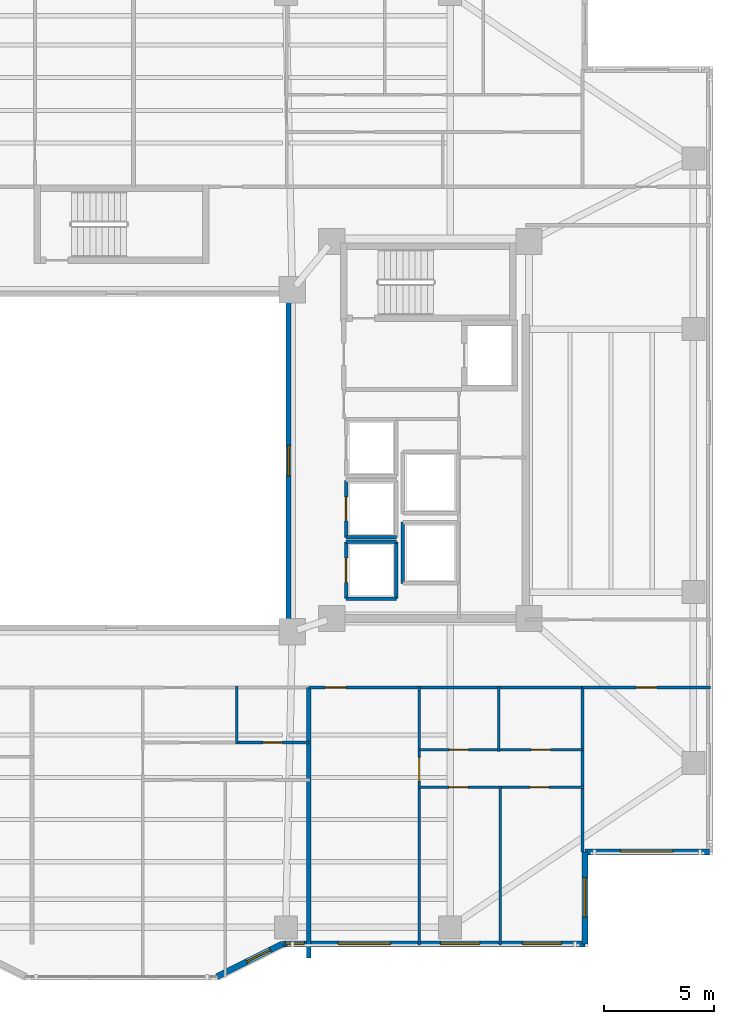
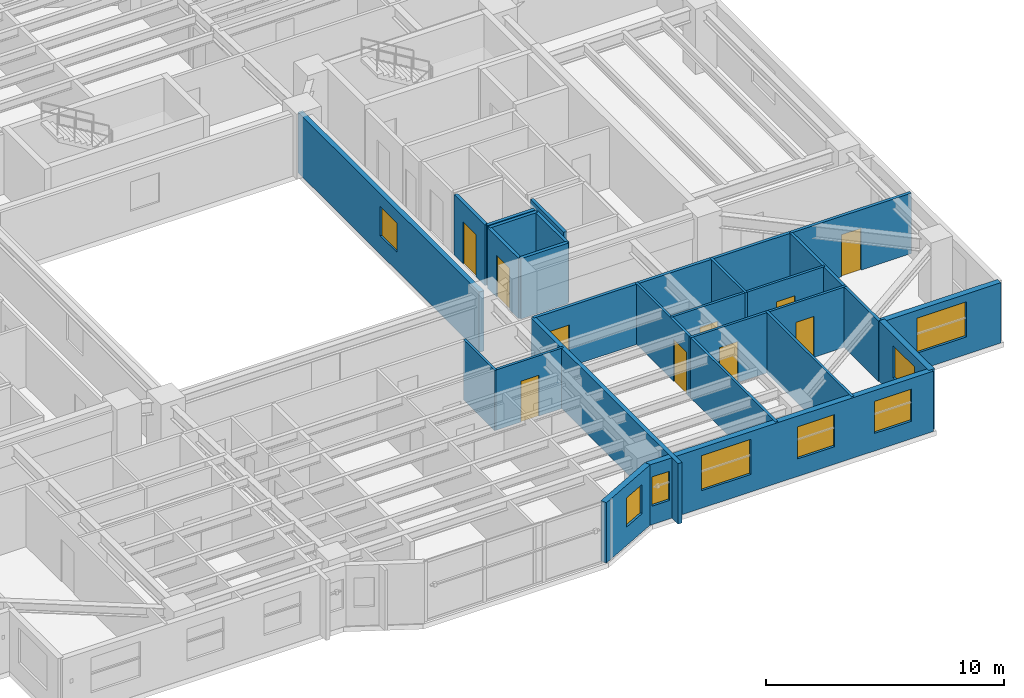
# One storey, part 8 of 18: 24 walls, 10 doors, 8 windows, 18 openings.
"""IFC4 building model written with IfcOpenShell, lengths in metres."""

from ifc_helpers import new_model, si_unit, direction, frame, frame_2d, origin, place, context, subcontext, project, spatial, rectangle, extrude, material, layer, layer_set, type_object, element, fill, save


model = new_model("IFC4")

# Units and contexts
model_context = context("Model", 3, precision=1e-05, world=origin(), true_north=direction((0.0, 1.0)))
body_context = subcontext(model_context, "Body", "Model", "MODEL_VIEW")
ifc_project = project(units=[si_unit("LENGTHUNIT", "METRE"), si_unit("AREAUNIT", "SQUARE_METRE"), si_unit("VOLUMEUNIT", "CUBIC_METRE"), si_unit("PLANEANGLEUNIT", "RADIAN"), si_unit("MASSUNIT", "GRAM", prefix="KILO")], contexts=[model_context])

# Site, building, storey
site_placement = place(None, origin())
site = spatial("IfcSite", under=ifc_project, at=site_placement, CompositionType="ELEMENT")
building_placement = place(site_placement, origin())
building = spatial("IfcBuilding", under=site, at=building_placement, Name="Tarnavaz Court Tower", CompositionType="ELEMENT")
storey_placement = place(building_placement, frame((0.0, 0.0, 88.35009765625)))
storey = spatial("IfcBuildingStorey", under=building, at=storey_placement, Name="L23", CompositionType="ELEMENT", Elevation=88.35009765625)

# Wall, opening, window
ifc_material_1 = material(Name="Precast Concrete C40/50", Category="concrete")
ifc_layer_1 = layer(ifc_material_1, 0.280029296875)
ifc_layer_set_1 = layer_set([ifc_layer_1], Name="Precast Concrete C40/50")
wall_type_1 = type_object("IfcWallType", Name="WL-EXT-280", PredefinedType="SOLIDWALL", material=ifc_layer_set_1)
wall_1_placement = place(storey_placement, frame((26.85009765625, -17.85009765625, 0.0), z_axis=(0.0, 0.0, 1.0), x_axis=(-1.0, 0.0, 0.0)))
wall_1 = element("IfcWall", 1, at=wall_1_placement, inside=storey, type_object=wall_type_1, Name="L23 Exterior Terracotta Facade Wall 13", PredefinedType="SOLIDWALL", context=body_context, shape_type="SweptSolid", body=[
    extrude(rectangle(XDim=5.7001953125, YDim=0.280029296875, at=frame_2d((2.85009765625, 0.0))), origin(), (0.0, 0.0, 1.0), 3.099853515625),
])
opening_1_placement = place(wall_1_placement, frame((1.675048828125, 0.0, 0.89990234375)))
opening_1 = element("IfcOpeningElement", 2, at=opening_1_placement, cuts=wall_1, Name="Opening W06", PredefinedType="OPENING", context=body_context, shape_type="SweptSolid", body=[
    extrude(rectangle(XDim=2.39990234375, YDim=1.800048828125, at=frame_2d((1.199951171875, 0.89990234375))), frame((0.0, 0.14990234375, 0.0), z_axis=(0.0, -1.0, 0.0), x_axis=(1.0, 0.0, 0.0)), (0.0, 0.0, 1.0), 0.300048828125),
])
ifc_material_2 = material(Name="Double-Glazed Solar Low-E Glass", Category="glass")
window_type_1 = type_object("IfcWindowType", Name="WN-APT-2400", PartitioningType="TRIPLE_PANEL_VERTICAL", PredefinedType="WINDOW", material=ifc_material_2)
window_1_placement = place(opening_1_placement, origin())
window_1 = element("IfcWindow", 3, at=window_1_placement, inside=storey, type_object=window_type_1, Name="L23 South-East Corner Reading Room Window", OverallHeight=1.800048828125, OverallWidth=2.39990234375, PartitioningType="SINGLE_PANEL", PredefinedType="WINDOW", context=body_context, shape_type="SweptSolid", body=[
    extrude(rectangle(XDim=2.39990234375, YDim=1.800048828125, at=frame_2d((1.199951171875, 0.89990234375))), frame((0.0, 0.030029296875, 0.0), z_axis=(0.0, -1.0, 0.0), x_axis=(1.0, 0.0, 0.0)), (0.0, 0.0, 1.0), 0.06005859375),
])
fill(opening_1, window_1)

wall_2_placement = place(storey_placement, frame((21.14990234375, -17.85009765625, 0.0), z_axis=(0.0, 0.0, 1.0), x_axis=(0.0, -1.0, 0.0)))
wall_2 = element("IfcWall", 4, at=wall_2_placement, inside=storey, type_object=wall_type_1, Name="L23 Exterior Terracotta Facade Wall 14", PredefinedType="SOLIDWALL", context=body_context, shape_type="SweptSolid", body=[
    extrude(rectangle(XDim=4.199951171875, YDim=0.280029296875, at=frame_2d((2.10009765625, 0.0))), origin(), (0.0, 0.0, 1.0), 3.099853515625),
])
opening_2_placement = place(wall_2_placement, frame((1.18212890625, 0.0, 0.89990234375)))
opening_2 = element("IfcOpeningElement", 5, at=opening_2_placement, cuts=wall_2, Name="Opening W01", PredefinedType="OPENING", context=body_context, shape_type="SweptSolid", body=[
    extrude(rectangle(XDim=1.800048828125, YDim=1.64990234375, at=frame_2d((0.89990234375, 0.824951171875))), frame((0.0, 0.14990234375, 0.0), z_axis=(0.0, -1.0, 0.0), x_axis=(1.0, 0.0, 0.0)), (0.0, 0.0, 1.0), 0.300048828125),
])
window_type_2 = type_object("IfcWindowType", Name="WN-APT-1800", PartitioningType="DOUBLE_PANEL_VERTICAL", PredefinedType="WINDOW", material=ifc_material_2)
window_2_placement = place(opening_2_placement, origin())
window_2 = element("IfcWindow", 6, at=window_2_placement, inside=storey, type_object=window_type_2, Name="L23 Flat 03 Bedroom 2 Window", OverallHeight=1.64990234375, OverallWidth=1.800048828125, PartitioningType="SINGLE_PANEL", PredefinedType="WINDOW", context=body_context, shape_type="SweptSolid", body=[
    extrude(rectangle(XDim=1.800048828125, YDim=1.64990234375, at=frame_2d((0.89990234375, 0.824951171875))), frame((0.0, 0.030029296875, 0.0), z_axis=(0.0, -1.0, 0.0), x_axis=(1.0, 0.0, 0.0)), (0.0, 0.0, 1.0), 0.06005859375),
])
fill(opening_2, window_2)

# Wall, openings, windows
wall_3_placement = place(storey_placement, frame((21.14990234375, -22.050048828125, 0.0), z_axis=(0.0, 0.0, 1.0), x_axis=(-1.0, 0.0, 0.0)))
wall_3 = element("IfcWall", 7, at=wall_3_placement, inside=storey, type_object=wall_type_1, Name="L23 Exterior Terracotta Facade Wall 15", PredefinedType="SOLIDWALL", context=body_context, shape_type="SweptSolid", body=[
    extrude(rectangle(XDim=13.7998046875, YDim=0.280029296875, at=frame_2d((6.89990234375, 0.0))), origin(), (0.0, 0.0, 1.0), 3.099853515625),
])
opening_3_placement = place(wall_3_placement, frame((1.05712890625, 0.0, 0.89990234375)))
opening_3 = element("IfcOpeningElement", 8, at=opening_3_placement, cuts=wall_3, Name="Opening W01", PredefinedType="OPENING", context=body_context, shape_type="SweptSolid", body=[
    extrude(rectangle(XDim=1.800048828125, YDim=1.64990234375, at=frame_2d((0.89990234375, 0.824951171875))), frame((0.0, 0.14990234375, 0.0), z_axis=(0.0, -1.0, 0.0), x_axis=(1.0, 0.0, 0.0)), (0.0, 0.0, 1.0), 0.300048828125),
])
opening_4_placement = place(wall_3_placement, frame((4.795654296875, 0.0, 0.89990234375)))
opening_4 = element("IfcOpeningElement", 9, at=opening_4_placement, cuts=wall_3, Name="Opening W01", PredefinedType="OPENING", context=body_context, shape_type="SweptSolid", body=[
    extrude(rectangle(XDim=1.800048828125, YDim=1.64990234375, at=frame_2d((0.89990234375, 0.824951171875))), frame((0.0, 0.14990234375, 0.0), z_axis=(0.0, -1.0, 0.0), x_axis=(1.0, 0.0, 0.0)), (0.0, 0.0, 1.0), 0.300048828125),
])
opening_5_placement = place(wall_3_placement, frame((8.861572265625, 0.0, 0.89990234375)))
opening_5 = element("IfcOpeningElement", 10, at=opening_5_placement, cuts=wall_3, Name="Opening W06", PredefinedType="OPENING", context=body_context, shape_type="SweptSolid", body=[
    extrude(rectangle(XDim=2.39990234375, YDim=1.800048828125, at=frame_2d((1.199951171875, 0.89990234375))), frame((0.0, 0.14990234375, 0.0), z_axis=(0.0, -1.0, 0.0), x_axis=(1.0, 0.0, 0.0)), (0.0, 0.0, 1.0), 0.300048828125),
])
opening_6_placement = place(wall_3_placement, frame((12.802978515625, 0.0, 0.949951171875)))
opening_6 = element("IfcOpeningElement", 11, at=opening_6_placement, cuts=wall_3, Name="Opening W15", PredefinedType="OPENING", context=body_context, shape_type="SweptSolid", body=[
    extrude(rectangle(XDim=0.85009765625, YDim=1.5, at=frame_2d((0.425048828125, 0.75))), frame((0.0, 0.14990234375, 0.0), z_axis=(0.0, -1.0, 0.0), x_axis=(1.0, 0.0, 0.0)), (0.0, 0.0, 1.0), 0.300048828125),
])
window_3_placement = place(opening_3_placement, origin())
window_3 = element("IfcWindow", 12, at=window_3_placement, inside=storey, type_object=window_type_2, Name="L23 Flat 03 Bedroom 2 Window", OverallHeight=1.64990234375, OverallWidth=1.800048828125, PartitioningType="SINGLE_PANEL", PredefinedType="WINDOW", context=body_context, shape_type="SweptSolid", body=[
    extrude(rectangle(XDim=1.800048828125, YDim=1.64990234375, at=frame_2d((0.89990234375, 0.824951171875))), frame((0.0, 0.030029296875, 0.0), z_axis=(0.0, -1.0, 0.0), x_axis=(1.0, 0.0, 0.0)), (0.0, 0.0, 1.0), 0.06005859375),
])
fill(opening_3, window_3)
window_4_placement = place(opening_4_placement, origin())
window_4 = element("IfcWindow", 13, at=window_4_placement, inside=storey, type_object=window_type_2, Name="L23 Flat 03 Principal Bedroom Window", OverallHeight=1.64990234375, OverallWidth=1.800048828125, PartitioningType="SINGLE_PANEL", PredefinedType="WINDOW", context=body_context, shape_type="SweptSolid", body=[
    extrude(rectangle(XDim=1.800048828125, YDim=1.64990234375, at=frame_2d((0.89990234375, 0.824951171875))), frame((0.0, 0.030029296875, 0.0), z_axis=(0.0, -1.0, 0.0), x_axis=(1.0, 0.0, 0.0)), (0.0, 0.0, 1.0), 0.06005859375),
])
fill(opening_4, window_4)
window_5_placement = place(opening_5_placement, origin())
window_5 = element("IfcWindow", 14, at=window_5_placement, inside=storey, type_object=window_type_1, Name="L23 Flat 03 Living and Dining Room Window", OverallHeight=1.800048828125, OverallWidth=2.39990234375, PartitioningType="SINGLE_PANEL", PredefinedType="WINDOW", context=body_context, shape_type="SweptSolid", body=[
    extrude(rectangle(XDim=2.39990234375, YDim=1.800048828125, at=frame_2d((1.199951171875, 0.89990234375))), frame((0.0, 0.030029296875, 0.0), z_axis=(0.0, -1.0, 0.0), x_axis=(1.0, 0.0, 0.0)), (0.0, 0.0, 1.0), 0.06005859375),
])
fill(opening_5, window_5)
window_type_3 = type_object("IfcWindowType", Name="WN-APT-850", PartitioningType="SINGLE_PANEL", PredefinedType="WINDOW", material=ifc_material_2)
window_6_placement = place(opening_6_placement, origin())
window_6 = element("IfcWindow", 15, at=window_6_placement, inside=storey, type_object=window_type_3, Name="L23 Flat 05 Bedroom 2 Window", OverallHeight=1.5, OverallWidth=0.85009765625, PartitioningType="SINGLE_PANEL", PredefinedType="WINDOW", context=body_context, shape_type="SweptSolid", body=[
    extrude(rectangle(XDim=0.85009765625, YDim=1.5, at=frame_2d((0.425048828125, 0.75))), frame((0.0, 0.030029296875, 0.0), z_axis=(0.0, -1.0, 0.0), x_axis=(1.0, 0.0, 0.0)), (0.0, 0.0, 1.0), 0.06005859375),
])
fill(opening_6, window_6)

# Wall, opening, window
wall_4_placement = place(storey_placement, frame((7.35009765625, -22.050048828125, 0.0), z_axis=(0.0, 0.0, 1.0), x_axis=(-0.894427191, -0.4472135955, 0.0)))
wall_4 = element("IfcWall", 16, at=wall_4_placement, inside=storey, type_object=wall_type_1, Name="L23 Exterior Terracotta Facade Wall 16", PredefinedType="SOLIDWALL", context=body_context, shape_type="SweptSolid", body=[
    extrude(rectangle(XDim=3.35400390625, YDim=0.280029296875, at=frame_2d((1.677001953125, 0.0))), origin(), (0.0, 0.0, 1.0), 3.099853515625),
])
opening_7_placement = place(wall_4_placement, frame((0.62158203125, 0.0, 0.949951171875)))
opening_7 = element("IfcOpeningElement", 17, at=opening_7_placement, cuts=wall_4, Name="Opening W05", PredefinedType="OPENING", context=body_context, shape_type="SweptSolid", body=[
    extrude(rectangle(XDim=1.199951171875, YDim=1.5, at=frame_2d((0.60009765625, 0.75))), frame((0.0, 0.14990234375, 0.0), z_axis=(0.0, -1.0, 0.0), x_axis=(1.0, 0.0, 0.0)), (0.0, 0.0, 1.0), 0.300048828125),
])
window_type_4 = type_object("IfcWindowType", Name="WN-APT-1200", PartitioningType="SINGLE_PANEL", PredefinedType="WINDOW", material=ifc_material_2)
window_7_placement = place(opening_7_placement, origin())
window_7 = element("IfcWindow", 18, at=window_7_placement, inside=storey, type_object=window_type_4, Name="L23 Flat 05 Bedroom 2 Window", OverallHeight=1.5, OverallWidth=1.199951171875, PartitioningType="SINGLE_PANEL", PredefinedType="WINDOW", context=body_context, shape_type="SweptSolid", body=[
    extrude(rectangle(XDim=1.199951171875, YDim=1.5, at=frame_2d((0.60009765625, 0.75))), frame((0.0, 0.030029296875, 0.0), z_axis=(0.0, -1.0, 0.0), x_axis=(1.0, 0.0, 0.0)), (0.0, 0.0, 1.0), 0.06005859375),
])
fill(opening_7, window_7)

# Wall, opening, door
ifc_material_3 = material(Name="Gypsum Fire-Board on Acoustic Metal Stud", Category="masonry")
ifc_layer_2 = layer(ifc_material_3, 0.14990234375)
ifc_layer_set_2 = layer_set([ifc_layer_2], Name="Gypsum Fire-Board on Acoustic Metal Stud")
wall_type_2 = type_object("IfcWallType", Name="WL-FIRE-150", PredefinedType="PARTITIONING", material=ifc_layer_set_2)
wall_5_placement = place(storey_placement, frame((8.550048828125, -10.35009765625, 0.0), z_axis=(0.0, 0.0, 1.0), x_axis=(1.0, 0.0, 0.0)))
wall_5 = element("IfcWall", 19, at=wall_5_placement, inside=storey, type_object=wall_type_2, Name="L23 SE Horseshoe Wall 075", PredefinedType="PARTITIONING", context=body_context, shape_type="SweptSolid", body=[
    extrude(rectangle(XDim=12.5, YDim=0.14990234375, at=frame_2d((6.25, 0.0))), origin(), (0.0, 0.0, 1.0), 3.099853515625),
])
opening_8_placement = place(wall_5_placement, frame((0.75, 0.0, 0.0)))
opening_8 = element("IfcOpeningElement", 20, at=opening_8_placement, cuts=wall_5, Name="Opening D06", PredefinedType="OPENING", context=body_context, shape_type="SweptSolid", body=[
    extrude(rectangle(XDim=0.9599609375, YDim=2.14990234375, at=frame_2d((0.47998046875, 1.074951171875))), frame((0.0, 0.0849609375, 0.0), z_axis=(0.0, -1.0, 0.0), x_axis=(1.0, 0.0, 0.0)), (0.0, 0.0, 1.0), 0.169921875),
])
ifc_material_4 = material(Name="Fire-Rated Hardwood Timber Core", Category="wood")
door_type_1 = type_object("IfcDoorType", Name="DR-FD60-950", OperationType="NOTDEFINED", PredefinedType="DOOR", material=ifc_material_4)
door_1_placement = place(opening_8_placement, origin())
door_1 = element("IfcDoor", 21, at=door_1_placement, inside=storey, type_object=door_type_1, Name="L23 Flat 03 Entrance Door", OperationType="SINGLE_SWING_LEFT", OverallHeight=2.14990234375, OverallWidth=0.9599609375, PredefinedType="DOOR", context=body_context, shape_type="SweptSolid", body=[
    extrude(rectangle(XDim=0.9599609375, YDim=2.14990234375, at=frame_2d((0.47998046875, 1.074951171875))), frame((0.0, 0.02490234375, 0.0), z_axis=(0.0, -1.0, 0.0), x_axis=(1.0, 0.0, 0.0)), (0.0, 0.0, 1.0), 0.050048828125),
])
fill(opening_8, door_1)

wall_6_placement = place(storey_placement, frame((21.050048828125, -10.35009765625, 0.0), z_axis=(0.0, 0.0, 1.0), x_axis=(1.0, 0.0, 0.0)))
wall_6 = element("IfcWall", 22, at=wall_6_placement, inside=storey, type_object=wall_type_2, Name="L23 Interior Partition 123", PredefinedType="PARTITIONING", context=body_context, shape_type="SweptSolid", body=[
    extrude(rectangle(XDim=5.829833984375, YDim=0.14990234375, at=frame_2d((2.9150390625, 0.0))), origin(), (0.0, 0.0, 1.0), 3.099853515625),
])
opening_9_placement = place(wall_6_placement, frame((2.43994140625, 0.0, 0.0)))
opening_9 = element("IfcOpeningElement", 23, at=opening_9_placement, cuts=wall_6, Name="Opening D13", PredefinedType="OPENING", context=body_context, shape_type="SweptSolid", body=[
    extrude(rectangle(XDim=0.949951171875, YDim=2.14990234375, at=frame_2d((0.47509765625, 1.074951171875))), frame((0.0, 0.0849609375, 0.0), z_axis=(0.0, -1.0, 0.0), x_axis=(1.0, 0.0, 0.0)), (0.0, 0.0, 1.0), 0.169921875),
])
ifc_material_5 = material(Name="Engineered Oak Timber", Category="wood")
door_type_2 = type_object("IfcDoorType", Name="DR-INT-950", OperationType="NOTDEFINED", PredefinedType="DOOR", material=ifc_material_5)
door_2_placement = place(opening_9_placement, origin())
door_2 = element("IfcDoor", 24, at=door_2_placement, inside=storey, type_object=door_type_2, Name="L23 SE Reading Room Door", OperationType="SINGLE_SWING_LEFT", OverallHeight=2.14990234375, OverallWidth=0.949951171875, PredefinedType="DOOR", context=body_context, shape_type="SweptSolid", body=[
    extrude(rectangle(XDim=0.949951171875, YDim=2.14990234375, at=frame_2d((0.47509765625, 1.074951171875))), frame((0.0, 0.02490234375, 0.0), z_axis=(0.0, -1.0, 0.0), x_axis=(1.0, 0.0, 0.0)), (0.0, 0.0, 1.0), 0.050048828125),
])
fill(opening_9, door_2)

# Wall
ifc_material_6 = material(Name="Autoclaved Aerated Concrete Blockwork", Category="masonry")
ifc_layer_3 = layer(ifc_material_6, 0.199951171875)
ifc_layer_set_3 = layer_set([ifc_layer_3], Name="Autoclaved Aerated Concrete Blockwork")
wall_type_3 = type_object("IfcWallType", Name="WL-FIRE-200", PredefinedType="SOLIDWALL", material=ifc_layer_set_3)
wall_7_placement = place(storey_placement, frame((8.550048828125, -22.7041015625, 0.0), z_axis=(0.0, 0.0, 1.0), x_axis=(0.0, 1.0, 0.0)))
element("IfcWall", 25, at=wall_7_placement, inside=storey, type_object=wall_type_3, Name="L23 Party Wall 100", PredefinedType="SOLIDWALL", context=body_context, shape_type="SweptSolid", body=[
    extrude(rectangle(XDim=12.35400390625, YDim=0.199951171875, at=frame_2d((6.177001953125, 0.0))), origin(), (0.0, 0.0, 1.0), 3.099853515625),
])

# Wall, opening, door
ifc_material_7 = material(Name="Moisture-Resistant Gypsum Board Partition", Category="masonry")
ifc_layer_4 = layer(ifc_material_7, 0.1201171875)
ifc_layer_set_4 = layer_set([ifc_layer_4], Name="Moisture-Resistant Gypsum Board Partition")
wall_type_4 = type_object("IfcWallType", Name="WL-PART-120", PredefinedType="PARTITIONING", material=ifc_layer_set_4)
wall_8_placement = place(storey_placement, frame((13.592041015625, -22.10009765625, 0.0), z_axis=(0.0, 0.0, 1.0), x_axis=(0.0, 1.0, 0.0)))
wall_8 = element("IfcWall", 26, at=wall_8_placement, inside=storey, type_object=wall_type_4, Name="L23 Interior Partition 093", PredefinedType="PARTITIONING", context=body_context, shape_type="SweptSolid", body=[
    extrude(rectangle(XDim=11.81005859375, YDim=0.1201171875, at=frame_2d((5.905029296875, 0.0))), origin(), (0.0, 0.0, 1.0), 3.099853515625),
])
opening_10_placement = place(wall_8_placement, frame((7.47509765625, 0.0, 0.0)))
opening_10 = element("IfcOpeningElement", 27, at=opening_10_placement, cuts=wall_8, Name="Opening D12", PredefinedType="OPENING", context=body_context, shape_type="SweptSolid", body=[
    extrude(rectangle(XDim=1.080078125, YDim=2.14990234375, at=frame_2d((0.5400390625, 1.074951171875))), frame((0.0, 0.070068359375, 0.0), z_axis=(0.0, -1.0, 0.0), x_axis=(1.0, 0.0, 0.0)), (0.0, 0.0, 1.0), 0.14013671875),
])
door_type_3 = type_object("IfcDoorType", Name="DR-INT-1100", OperationType="NOTDEFINED", PredefinedType="DOOR", material=ifc_material_5)
door_3_placement = place(opening_10_placement, origin())
door_3 = element("IfcDoor", 28, at=door_3_placement, inside=storey, type_object=door_type_3, Name="L23 Flat 03 Foyer Door", OperationType="SINGLE_SWING_RIGHT", OverallHeight=2.14990234375, OverallWidth=1.080078125, PredefinedType="DOOR", context=body_context, shape_type="SweptSolid", body=[
    extrude(rectangle(XDim=1.080078125, YDim=2.14990234375, at=frame_2d((0.5400390625, 1.074951171875))), frame((0.0, 0.02490234375, 0.0), z_axis=(0.0, -1.0, 0.0), x_axis=(1.0, 0.0, 0.0)), (0.0, 0.0, 1.0), 0.050048828125),
])
fill(opening_10, door_3)

wall_9_placement = place(storey_placement, frame((13.592041015625, -13.199951171875, 0.0), z_axis=(0.0, 0.0, 1.0), x_axis=(1.0, 0.0, 0.0)))
wall_9 = element("IfcWall", 29, at=wall_9_placement, inside=storey, type_object=wall_type_4, Name="L23 Interior Partition 094", PredefinedType="PARTITIONING", context=body_context, shape_type="SweptSolid", body=[
    extrude(rectangle(XDim=3.625, YDim=0.1201171875, at=frame_2d((1.8125, 0.0))), origin(), (0.0, 0.0, 1.0), 3.099853515625),
])
opening_11_placement = place(wall_9_placement, frame((1.3720703125, 0.0, 0.0)))
opening_11 = element("IfcOpeningElement", 30, at=opening_11_placement, cuts=wall_9, Name="Opening D14", PredefinedType="OPENING", context=body_context, shape_type="SweptSolid", body=[
    extrude(rectangle(XDim=0.8798828125, YDim=2.10009765625, at=frame_2d((0.43994140625, 1.050048828125))), frame((0.0, 0.070068359375, 0.0), z_axis=(0.0, -1.0, 0.0), x_axis=(1.0, 0.0, 0.0)), (0.0, 0.0, 1.0), 0.14013671875),
])
door_type_4 = type_object("IfcDoorType", Name="DR-INT-900", OperationType="NOTDEFINED", PredefinedType="DOOR", material=ifc_material_5)
door_4_placement = place(opening_11_placement, origin())
door_4 = element("IfcDoor", 31, at=door_4_placement, inside=storey, type_object=door_type_4, Name="L23 Flat 03 Kitchen Door", OperationType="SINGLE_SWING_LEFT", OverallHeight=2.10009765625, OverallWidth=0.8798828125, PredefinedType="DOOR", context=body_context, shape_type="SweptSolid", body=[
    extrude(rectangle(XDim=0.8798828125, YDim=2.10009765625, at=frame_2d((0.43994140625, 1.050048828125))), frame((0.0, 0.02490234375, 0.0), z_axis=(0.0, -1.0, 0.0), x_axis=(1.0, 0.0, 0.0)), (0.0, 0.0, 1.0), 0.050048828125),
])
fill(opening_11, door_4)

wall_10_placement = place(storey_placement, frame((17.217041015625, -13.199951171875, 0.0), z_axis=(0.0, 0.0, 1.0), x_axis=(1.0, 0.0, 0.0)))
wall_10 = element("IfcWall", 32, at=wall_10_placement, inside=storey, type_object=wall_type_4, Name="L23 Interior Partition 095", PredefinedType="PARTITIONING", context=body_context, shape_type="SweptSolid", body=[
    extrude(rectangle(XDim=3.8330078125, YDim=0.1201171875, at=frame_2d((1.91650390625, 0.0))), origin(), (0.0, 0.0, 1.0), 3.099853515625),
])
opening_12_placement = place(wall_10_placement, frame((1.47705078125, 0.0, 0.0)))
opening_12 = element("IfcOpeningElement", 33, at=opening_12_placement, cuts=wall_10, Name="Opening D14", PredefinedType="OPENING", context=body_context, shape_type="SweptSolid", body=[
    extrude(rectangle(XDim=0.8798828125, YDim=2.10009765625, at=frame_2d((0.43994140625, 1.050048828125))), frame((0.0, 0.070068359375, 0.0), z_axis=(0.0, -1.0, 0.0), x_axis=(1.0, 0.0, 0.0)), (0.0, 0.0, 1.0), 0.14013671875),
])
door_5_placement = place(opening_12_placement, origin())
door_5 = element("IfcDoor", 34, at=door_5_placement, inside=storey, type_object=door_type_4, Name="L23 Flat 03 Bathroom Door", OperationType="SINGLE_SWING_RIGHT", OverallHeight=2.10009765625, OverallWidth=0.8798828125, PredefinedType="DOOR", context=body_context, shape_type="SweptSolid", body=[
    extrude(rectangle(XDim=0.8798828125, YDim=2.10009765625, at=frame_2d((0.43994140625, 1.050048828125))), frame((0.0, 0.02490234375, 0.0), z_axis=(0.0, -1.0, 0.0), x_axis=(1.0, 0.0, 0.0)), (0.0, 0.0, 1.0), 0.050048828125),
])
fill(opening_12, door_5)

# Wall, openings, doors
wall_11_placement = place(storey_placement, frame((13.531982421875, -14.909912109375, 0.0), z_axis=(0.0, 0.0, 1.0), x_axis=(1.0, 0.0, 0.0)))
wall_11 = element("IfcWall", 35, at=wall_11_placement, inside=storey, type_object=wall_type_4, Name="L23 Interior Partition 096", PredefinedType="PARTITIONING", context=body_context, shape_type="SweptSolid", body=[
    extrude(rectangle(XDim=7.578125, YDim=0.1201171875, at=frame_2d((3.7890625, 0.0))), origin(), (0.0, 0.0, 1.0), 3.099853515625),
])
opening_13_placement = place(wall_11_placement, frame((1.409912109375, 0.0, 0.0)))
opening_13 = element("IfcOpeningElement", 36, at=opening_13_placement, cuts=wall_11, Name="Opening D14", PredefinedType="OPENING", context=body_context, shape_type="SweptSolid", body=[
    extrude(rectangle(XDim=0.8798828125, YDim=2.10009765625, at=frame_2d((0.43994140625, 1.050048828125))), frame((0.0, 0.070068359375, 0.0), z_axis=(0.0, -1.0, 0.0), x_axis=(1.0, 0.0, 0.0)), (0.0, 0.0, 1.0), 0.14013671875),
])
opening_14_placement = place(wall_11_placement, frame((5.10888671875, 0.0, 0.0)))
opening_14 = element("IfcOpeningElement", 37, at=opening_14_placement, cuts=wall_11, Name="Opening D14", PredefinedType="OPENING", context=body_context, shape_type="SweptSolid", body=[
    extrude(rectangle(XDim=0.8798828125, YDim=2.10009765625, at=frame_2d((0.43994140625, 1.050048828125))), frame((0.0, 0.070068359375, 0.0), z_axis=(0.0, -1.0, 0.0), x_axis=(1.0, 0.0, 0.0)), (0.0, 0.0, 1.0), 0.14013671875),
])
door_6_placement = place(opening_13_placement, origin())
door_6 = element("IfcDoor", 38, at=door_6_placement, inside=storey, type_object=door_type_4, Name="L23 Flat 03 Bedroom 1 Door", OperationType="SINGLE_SWING_LEFT", OverallHeight=2.10009765625, OverallWidth=0.8798828125, PredefinedType="DOOR", context=body_context, shape_type="SweptSolid", body=[
    extrude(rectangle(XDim=0.8798828125, YDim=2.10009765625, at=frame_2d((0.43994140625, 1.050048828125))), frame((0.0, 0.02490234375, 0.0), z_axis=(0.0, -1.0, 0.0), x_axis=(1.0, 0.0, 0.0)), (0.0, 0.0, 1.0), 0.050048828125),
])
fill(opening_13, door_6)
door_7_placement = place(opening_14_placement, origin())
door_7 = element("IfcDoor", 39, at=door_7_placement, inside=storey, type_object=door_type_4, Name="L23 Flat 03 Bedroom 2 Door", OperationType="SINGLE_SWING_RIGHT", OverallHeight=2.10009765625, OverallWidth=0.8798828125, PredefinedType="DOOR", context=body_context, shape_type="SweptSolid", body=[
    extrude(rectangle(XDim=0.8798828125, YDim=2.10009765625, at=frame_2d((0.43994140625, 1.050048828125))), frame((0.0, 0.02490234375, 0.0), z_axis=(0.0, -1.0, 0.0), x_axis=(1.0, 0.0, 0.0)), (0.0, 0.0, 1.0), 0.050048828125),
])
fill(opening_14, door_7)

# Walls
wall_12_placement = place(storey_placement, frame((17.217041015625, -13.260009765625, 0.0), z_axis=(0.0, 0.0, 1.0), x_axis=(0.0, 1.0, 0.0)))
element("IfcWall", 40, at=wall_12_placement, inside=storey, type_object=wall_type_4, Name="L23 Interior Partition 097", PredefinedType="PARTITIONING", context=body_context, shape_type="SweptSolid", body=[
    extrude(rectangle(XDim=2.969970703125, YDim=0.1201171875, at=frame_2d((1.48486328125, 0.0))), origin(), (0.0, 0.0, 1.0), 3.099853515625),
])
wall_13_placement = place(storey_placement, frame((17.291015625, -22.10009765625, 0.0), z_axis=(0.0, 0.0, 1.0), x_axis=(0.0, 1.0, 0.0)))
element("IfcWall", 41, at=wall_13_placement, inside=storey, type_object=wall_type_4, Name="L23 Interior Partition 098", PredefinedType="PARTITIONING", context=body_context, shape_type="SweptSolid", body=[
    extrude(rectangle(XDim=7.25, YDim=0.1201171875, at=frame_2d((3.625, 0.0))), origin(), (0.0, 0.0, 1.0), 3.099853515625),
])

# Wall, opening, door
wall_14_placement = place(storey_placement, frame((5.2548828125, -12.860107421875, 0.0), z_axis=(0.0, 0.0, 1.0), x_axis=(1.0, 0.0, 0.0)))
wall_14 = element("IfcWall", 42, at=wall_14_placement, inside=storey, type_object=wall_type_4, Name="L23 Interior Partition 108", PredefinedType="PARTITIONING", context=body_context, shape_type="SweptSolid", body=[
    extrude(rectangle(XDim=3.295166015625, YDim=0.1201171875, at=frame_2d((1.6474609375, 0.0))), origin(), (0.0, 0.0, 1.0), 3.099853515625),
])
opening_15_placement = place(wall_14_placement, frame((1.2080078125, 0.0, 0.0)))
opening_15 = element("IfcOpeningElement", 43, at=opening_15_placement, cuts=wall_14, Name="Opening D14", PredefinedType="OPENING", context=body_context, shape_type="SweptSolid", body=[
    extrude(rectangle(XDim=0.8798828125, YDim=2.10009765625, at=frame_2d((0.43994140625, 1.050048828125))), frame((0.0, 0.070068359375, 0.0), z_axis=(0.0, -1.0, 0.0), x_axis=(1.0, 0.0, 0.0)), (0.0, 0.0, 1.0), 0.14013671875),
])
door_8_placement = place(opening_15_placement, origin())
door_8 = element("IfcDoor", 44, at=door_8_placement, inside=storey, type_object=door_type_4, Name="L23 Flat 05 Bathroom Door", OperationType="SINGLE_SWING_LEFT", OverallHeight=2.10009765625, OverallWidth=0.8798828125, PredefinedType="DOOR", context=body_context, shape_type="SweptSolid", body=[
    extrude(rectangle(XDim=0.8798828125, YDim=2.10009765625, at=frame_2d((0.43994140625, 1.050048828125))), frame((0.0, 0.02490234375, 0.0), z_axis=(0.0, -1.0, 0.0), x_axis=(1.0, 0.0, 0.0)), (0.0, 0.0, 1.0), 0.050048828125),
])
fill(opening_15, door_8)

# Walls
wall_15_placement = place(storey_placement, frame((5.2548828125, -12.919921875, 0.0), z_axis=(0.0, 0.0, 1.0), x_axis=(0.0, 1.0, 0.0)))
element("IfcWall", 45, at=wall_15_placement, inside=storey, type_object=wall_type_4, Name="L23 Interior Partition 110", PredefinedType="PARTITIONING", context=body_context, shape_type="SweptSolid", body=[
    extrude(rectangle(XDim=2.6298828125, YDim=0.1201171875, at=frame_2d((1.31494140625, 0.0))), origin(), (0.0, 0.0, 1.0), 3.099853515625),
])
ifc_material_8 = material(Name="Gypsum Plasterboard Acoustic Partition", Category="masonry")
ifc_layer_5 = layer(ifc_material_8, 0.139892578125)
ifc_layer_set_5 = layer_set([ifc_layer_5], Name="Gypsum Plasterboard Acoustic Partition")
wall_type_5 = type_object("IfcWallType", Name="WL-PART-150", PredefinedType="PARTITIONING", material=ifc_layer_set_5)
wall_16_placement = place(storey_placement, frame((21.050048828125, -17.85009765625, 0.0), z_axis=(0.0, 0.0, 1.0), x_axis=(0.0, 1.0, 0.0)))
element("IfcWall", 46, at=wall_16_placement, inside=storey, type_object=wall_type_5, Name="L23 Interior Partition 117", PredefinedType="PARTITIONING", context=body_context, shape_type="SweptSolid", body=[
    extrude(rectangle(XDim=7.5, YDim=0.139892578125, at=frame_2d((3.75, 0.0))), origin(), (0.0, 0.0, 1.0), 3.099853515625),
])

# Wall, opening, door
ifc_layer_6 = layer(ifc_material_6, 0.159912109375)
ifc_layer_set_6 = layer_set([ifc_layer_6], Name="Autoclaved Aerated Concrete Blockwork")
wall_type_6 = type_object("IfcWallType", Name="WL-SHAFT-150", PredefinedType="SOLIDWALL", material=ifc_layer_set_6)
wall_17_placement = place(storey_placement, frame((10.25, -6.300048828125, 0.0), z_axis=(0.0, 0.0, 1.0), x_axis=(0.0, 1.0, 0.0)))
wall_17 = element("IfcWall", 47, at=wall_17_placement, inside=storey, type_object=wall_type_6, Name="L23 Lift PL-M1 Shaft Wall 037", PredefinedType="SOLIDWALL", context=body_context, shape_type="SweptSolid", body=[
    extrude(rectangle(XDim=2.60009765625, YDim=0.159912109375, at=frame_2d((1.300048828125, 0.0))), origin(), (0.0, 0.0, 1.0), 3.099853515625),
])
opening_16_placement = place(wall_17_placement, frame((0.75, 0.0, 0.0)))
opening_16 = element("IfcOpeningElement", 48, at=opening_16_placement, cuts=wall_17, Name="Opening LD1", PredefinedType="OPENING", context=body_context, shape_type="SweptSolid", body=[
    extrude(rectangle(XDim=1.10009765625, YDim=2.14990234375, at=frame_2d((0.550048828125, 1.074951171875))), frame((0.0, 0.08984375, 0.0), z_axis=(0.0, -1.0, 0.0), x_axis=(1.0, 0.0, 0.0)), (0.0, 0.0, 1.0), 0.179931640625),
])
ifc_material_9 = material(Name="Stainless Steel", Category="steel")
door_type_5 = type_object("IfcDoorType", Name="DR-LD-1100", OperationType="NOTDEFINED", PredefinedType="DOOR", material=ifc_material_9)
door_9_placement = place(opening_16_placement, origin())
door_9 = element("IfcDoor", 49, at=door_9_placement, inside=storey, type_object=door_type_5, Name="L23 Lift Landing Door LD-PL-M1", OperationType="SLIDING_TO_LEFT", OverallHeight=2.14990234375, OverallWidth=1.10009765625, PredefinedType="DOOR", context=body_context, shape_type="SweptSolid", body=[
    extrude(rectangle(XDim=1.10009765625, YDim=2.14990234375, at=frame_2d((0.550048828125, 1.074951171875))), frame((0.0, 0.02490234375, 0.0), z_axis=(0.0, -1.0, 0.0), x_axis=(1.0, 0.0, 0.0)), (0.0, 0.0, 1.0), 0.050048828125),
])
fill(opening_16, door_9)

# Walls
wall_18_placement = place(storey_placement, frame((12.550048828125, -6.300048828125, 0.0), z_axis=(0.0, 0.0, 1.0), x_axis=(0.0, 1.0, 0.0)))
element("IfcWall", 50, at=wall_18_placement, inside=storey, type_object=wall_type_6, Name="L23 Lift PL-M1 Shaft Wall 038", PredefinedType="SOLIDWALL", context=body_context, shape_type="SweptSolid", body=[
    extrude(rectangle(XDim=2.60009765625, YDim=0.159912109375, at=frame_2d((1.300048828125, 0.0))), origin(), (0.0, 0.0, 1.0), 3.099853515625),
])
for number, where, z_axis, x_axis, name in (
    (51, (10.25, -6.300048828125, 0.0), (0.0, 0.0, 1.0), (1.0, 0.0, 0.0), "L23 Lift PL-M1 Shaft Wall 039"),
    (52, (10.25, -3.699951171875, 0.0), (0.0, 0.0, 1.0), (1.0, 0.0, 0.0), "L23 Lift PL-M1 Shaft Wall 040"),
):
    element("IfcWall", number, at=place(storey_placement, frame(where, z_axis=z_axis, x_axis=x_axis)), inside=storey, type_object=wall_type_6, Name=name, PredefinedType="SOLIDWALL", context=body_context, shape_type="SweptSolid", body=[
        extrude(rectangle(XDim=2.300048828125, YDim=0.159912109375, at=frame_2d((1.14990234375, 0.0))), origin(), (0.0, 0.0, 1.0), 3.099853515625),
    ])

# Wall, opening, door
wall_19_placement = place(storey_placement, frame((10.25, -3.5, 0.0), z_axis=(0.0, 0.0, 1.0), x_axis=(0.0, 1.0, 0.0)))
wall_19 = element("IfcWall", 53, at=wall_19_placement, inside=storey, type_object=wall_type_6, Name="L23 Lift PL-M2 Shaft Wall 041", PredefinedType="SOLIDWALL", context=body_context, shape_type="SweptSolid", body=[
    extrude(rectangle(XDim=2.60009765625, YDim=0.159912109375, at=frame_2d((1.300048828125, 0.0))), origin(), (0.0, 0.0, 1.0), 3.099853515625),
])
opening_17_placement = place(wall_19_placement, frame((0.75, 0.0, 0.0)))
opening_17 = element("IfcOpeningElement", 54, at=opening_17_placement, cuts=wall_19, Name="Opening LD1", PredefinedType="OPENING", context=body_context, shape_type="SweptSolid", body=[
    extrude(rectangle(XDim=1.10009765625, YDim=2.14990234375, at=frame_2d((0.550048828125, 1.074951171875))), frame((0.0, 0.08984375, 0.0), z_axis=(0.0, -1.0, 0.0), x_axis=(1.0, 0.0, 0.0)), (0.0, 0.0, 1.0), 0.179931640625),
])
door_10_placement = place(opening_17_placement, origin())
door_10 = element("IfcDoor", 55, at=door_10_placement, inside=storey, type_object=door_type_5, Name="L23 Lift Landing Door LD-PL-M2", OperationType="SLIDING_TO_LEFT", OverallHeight=2.14990234375, OverallWidth=1.10009765625, PredefinedType="DOOR", context=body_context, shape_type="SweptSolid", body=[
    extrude(rectangle(XDim=1.10009765625, YDim=2.14990234375, at=frame_2d((0.550048828125, 1.074951171875))), frame((0.0, 0.02490234375, 0.0), z_axis=(0.0, -1.0, 0.0), x_axis=(1.0, 0.0, 0.0)), (0.0, 0.0, 1.0), 0.050048828125),
])
fill(opening_17, door_10)

# Walls
wall_20_placement = place(storey_placement, frame((10.25, -3.5, 0.0), z_axis=(0.0, 0.0, 1.0), x_axis=(1.0, 0.0, 0.0)))
element("IfcWall", 56, at=wall_20_placement, inside=storey, type_object=wall_type_6, Name="L23 Lift PL-M2 Shaft Wall 043", PredefinedType="SOLIDWALL", context=body_context, shape_type="SweptSolid", body=[
    extrude(rectangle(XDim=2.300048828125, YDim=0.159912109375, at=frame_2d((1.14990234375, 0.0))), origin(), (0.0, 0.0, 1.0), 3.099853515625),
])
wall_21_placement = place(storey_placement, frame((12.85009765625, -5.60009765625, 0.0), z_axis=(0.0, 0.0, 1.0), x_axis=(0.0, 1.0, 0.0)))
element("IfcWall", 57, at=wall_21_placement, inside=storey, type_object=wall_type_6, Name="L23 Lift PL-OB1 Shaft Wall 049", PredefinedType="SOLIDWALL", context=body_context, shape_type="SweptSolid", body=[
    extrude(rectangle(XDim=2.800048828125, YDim=0.159912109375, at=frame_2d((1.39990234375, 0.0))), origin(), (0.0, 0.0, 1.0), 3.099853515625),
])

# Wall, opening, window
ifc_layer_7 = layer(ifc_material_1, 0.239990234375)
ifc_layer_set_7 = layer_set([ifc_layer_7], Name="Precast Concrete C40/50")
wall_type_7 = type_object("IfcWallType", Name="WL-WELL-240", PredefinedType="SOLIDWALL", material=ifc_layer_set_7)
wall_22_placement = place(storey_placement, frame((7.6201171875, -7.6201171875, 0.0), z_axis=(0.0, 0.0, 1.0), x_axis=(0.0, 1.0, 0.0)))
wall_22 = element("IfcWall", 58, at=wall_22_placement, inside=storey, type_object=wall_type_7, Name="L23 Badgir Light-Well Exterior Wall E", PredefinedType="SOLIDWALL", context=body_context, shape_type="SweptSolid", body=[
    extrude(rectangle(XDim=15.240234375, YDim=0.239990234375, at=frame_2d((7.6201171875, 0.0))), origin(), (0.0, 0.0, 1.0), 3.099853515625),
])
opening_18_placement = place(wall_22_placement, frame((6.919921875, 0.0, 0.949951171875)))
opening_18 = element("IfcOpeningElement", 59, at=opening_18_placement, cuts=wall_22, Name="Opening W13", PredefinedType="OPENING", context=body_context, shape_type="SweptSolid", body=[
    extrude(rectangle(XDim=1.39990234375, YDim=1.5, at=frame_2d((0.699951171875, 0.75))), frame((0.0, 0.1298828125, 0.0), z_axis=(0.0, -1.0, 0.0), x_axis=(1.0, 0.0, 0.0)), (0.0, 0.0, 1.0), 0.260009765625),
])
window_type_5 = type_object("IfcWindowType", Name="WN-WEL-1400", PartitioningType="SINGLE_PANEL", PredefinedType="WINDOW", material=ifc_material_2)
window_8_placement = place(opening_18_placement, origin())
window_8 = element("IfcWindow", 60, at=window_8_placement, inside=storey, type_object=window_type_5, Name="L23 Courtyard Gallery Window E", OverallHeight=1.5, OverallWidth=1.39990234375, PartitioningType="SINGLE_PANEL", PredefinedType="WINDOW", context=body_context, shape_type="SweptSolid", body=[
    extrude(rectangle(XDim=1.39990234375, YDim=1.5, at=frame_2d((0.699951171875, 0.75))), frame((0.0, 0.030029296875, 0.0), z_axis=(0.0, -1.0, 0.0), x_axis=(1.0, 0.0, 0.0)), (0.0, 0.0, 1.0), 0.06005859375),
])
fill(opening_18, window_8)

save(model, "model.ifc")
